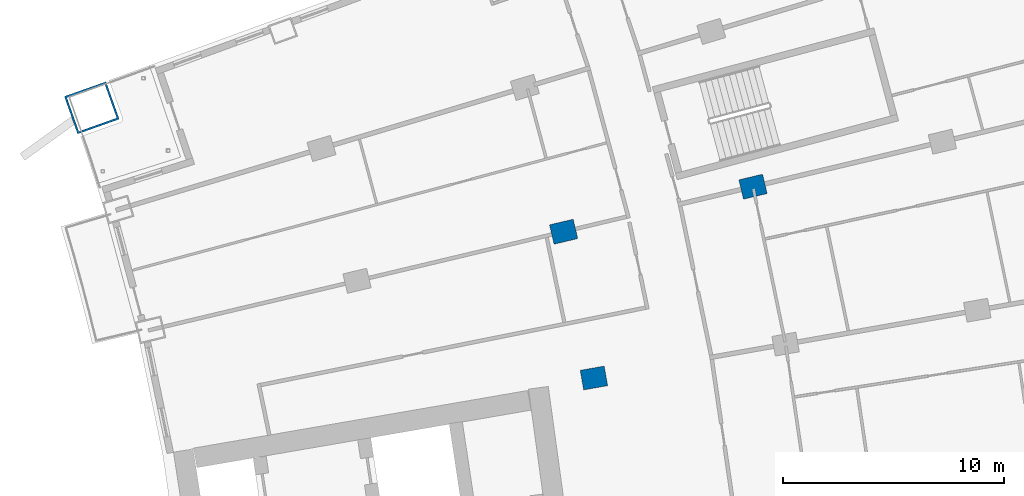
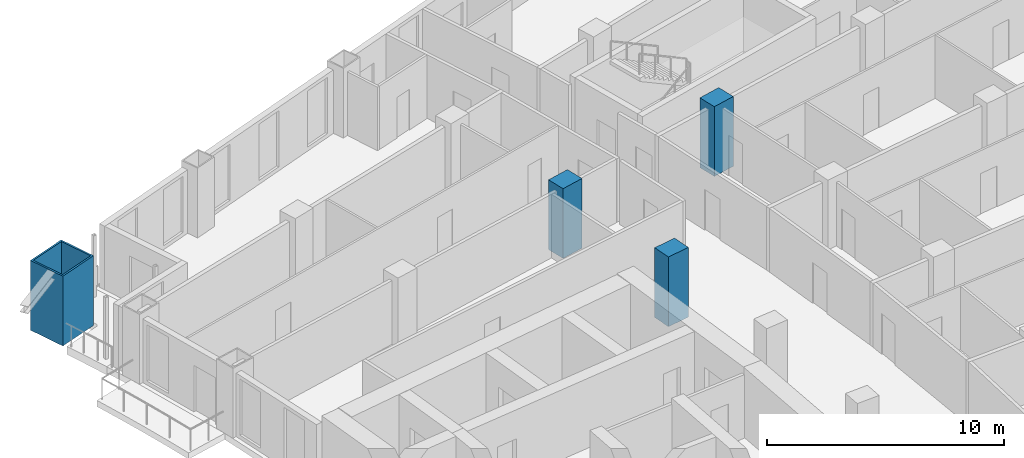
# One storey, part 8 of 25: 4 columns.
"""IFC4 building model written with IfcOpenShell, lengths in metres."""

from ifc_helpers import new_model, si_unit, direction, frame, origin, origin_2d, place, context, subcontext, project, spatial, rectangle, hollow_rectangle, extrude, material, material_profile, profile_set, type_object, element, save


model = new_model("IFC4")

# Units and contexts
model_context = context("Model", 3, precision=1e-05, world=origin(), true_north=direction((0.0, 1.0)))
body_context = subcontext(model_context, "Body", "Model", "MODEL_VIEW")
ifc_project = project(units=[si_unit("LENGTHUNIT", "METRE"), si_unit("AREAUNIT", "SQUARE_METRE"), si_unit("VOLUMEUNIT", "CUBIC_METRE"), si_unit("PLANEANGLEUNIT", "RADIAN"), si_unit("MASSUNIT", "GRAM", prefix="KILO")], contexts=[model_context])

# Site, building, storey
site_placement = place(None, origin())
site = spatial("IfcSite", under=ifc_project, at=site_placement, CompositionType="ELEMENT")
building_placement = place(site_placement, origin())
building = spatial("IfcBuilding", under=site, at=building_placement, Name="Alderwake Tower", CompositionType="ELEMENT")
storey_placement = place(building_placement, frame((0.0, 0.0, 68.0)))
storey = spatial("IfcBuildingStorey", under=building, at=storey_placement, Name="L16", CompositionType="ELEMENT", Elevation=68.0)

# Columns
ifc_material_1 = material(Name="Concrete C70/85", Category="concrete")
ifc_material_profile_1 = material_profile(ifc_material_1, rectangle(XDim=0.89990234375, YDim=1.10009765625, at=origin_2d()), Name="RC 1100X900")
ifc_profile_set_1 = profile_set([ifc_material_profile_1], Name="Concrete C70/85")
column_type_1 = type_object("IfcColumnType", Name="Interior column Z1", PredefinedType="COLUMN", material=ifc_profile_set_1)
for number, where, z_axis, x_axis, name in (
    (1, (34.03125, 81.16162109375, 0.0), (0.0, 0.0, 1.0), (-0.174108800747, 0.984726421654, 0.0), "Column R10-C2"),
    (2, (32.661865234375, 87.775390625, 0.0), (0.0, 0.0, 1.0), (-0.231221547198, 0.972901123502, 0.0), "Column R11-C2"),
    (3, (41.223388671875, 89.810302734375, 0.0), (0.0, 0.0, 1.0), (-0.231221547198, 0.972901123502, 0.0), "Column R11-C3"),
):
    element("IfcColumn", number, at=place(storey_placement, frame(where, z_axis=z_axis, x_axis=x_axis)), inside=storey, type_object=column_type_1, Name=name, PredefinedType="COLUMN", context=body_context, shape_type="SweptSolid", body=[
        extrude(rectangle(XDim=0.89990234375, YDim=1.10009765625, at=origin_2d()), origin(), (0.0, 0.0, 1.0), 3.60009765625),
    ])
ifc_material_2 = material(Name="Steel ASTM A572 Grade 50 concrete filled C70/85", Category="concrete")
ifc_material_profile_2 = material_profile(ifc_material_2, hollow_rectangle(XDim=1.800048828125, YDim=2.0, WallThickness=0.090087890625, at=origin_2d()), Name="BOX 2000X1800X90")
ifc_profile_set_2 = profile_set([ifc_material_profile_2], Name="Steel ASTM A572 Grade 50 concrete filled C70/85")
column_type_2 = type_object("IfcColumnType", Name="Mega column Z1", PredefinedType="COLUMN", material=ifc_profile_set_2)
column_placement = place(storey_placement, frame((11.330810546875, 93.377197265625, 0.0), z_axis=(0.0, 0.0, 1.0), x_axis=(-0.334130947791, 0.942526662609, 0.0)))
element("IfcColumn", 4, at=column_placement, inside=storey, type_object=column_type_2, Name="Column R13-C0", PredefinedType="COLUMN", context=body_context, shape_type="SweptSolid", body=[
    extrude(hollow_rectangle(XDim=1.800048828125, YDim=2.0, WallThickness=0.090087890625, at=origin_2d()), origin(), (0.0, 0.0, 1.0), 3.60009765625),
])

save(model, "model.ifc")
